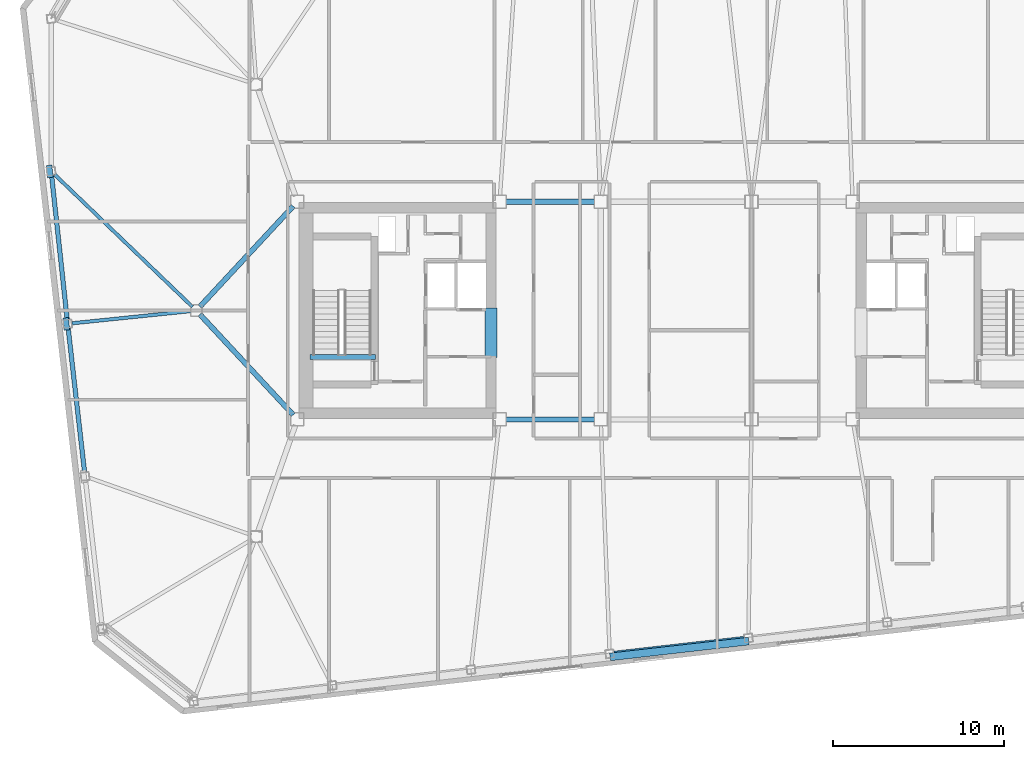
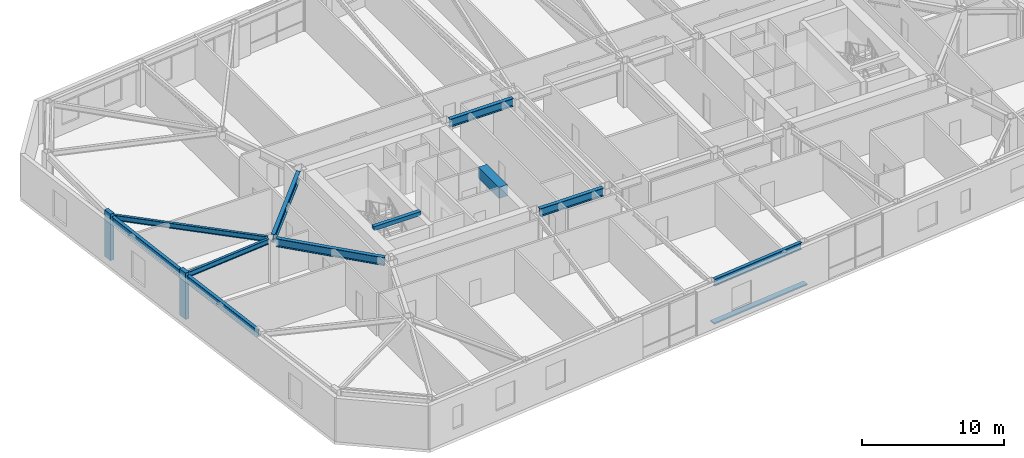
# One storey, part 7 of 21: 11 beams, 3 members.
"""IFC4 building model written with IfcOpenShell, lengths in metres."""

from ifc_helpers import new_model, si_unit, direction, frame, origin, origin_2d, place, context, subcontext, project, spatial, rectangle, i_section, extrude, material, material_profile, profile_set, type_object, element, save


model = new_model("IFC4")

# Units and contexts
model_context = context("Model", 3, precision=1e-05, world=origin(), true_north=direction((0.0, 1.0)))
body_context = subcontext(model_context, "Body", "Model", "MODEL_VIEW")
ifc_project = project(units=[si_unit("LENGTHUNIT", "METRE"), si_unit("AREAUNIT", "SQUARE_METRE"), si_unit("VOLUMEUNIT", "CUBIC_METRE"), si_unit("PLANEANGLEUNIT", "RADIAN"), si_unit("MASSUNIT", "GRAM", prefix="KILO")], contexts=[model_context])

# Site, building, storey
site_placement = place(None, origin())
site = spatial("IfcSite", under=ifc_project, at=site_placement, CompositionType="ELEMENT")
building_placement = place(site_placement, origin())
building = spatial("IfcBuilding", under=site, at=building_placement, Name="Tavrogorsk Clinical Tower", CompositionType="ELEMENT")
storey_placement = place(building_placement, frame((0.0, 0.0, 247.0)))
storey = spatial("IfcBuildingStorey", under=building, at=storey_placement, Name="L57", CompositionType="ELEMENT", Elevation=247.0)

# Member
ifc_material_1 = material(Name="Anodised aluminium alloy AW-6063", Category="aluminium")
ifc_material_profile_1 = material_profile(ifc_material_1, rectangle(XDim=0.449951171875, YDim=0.1201171875, at=origin_2d()), Name="ALU-SUNSHADE-450x120")
ifc_profile_set_1 = profile_set([ifc_material_profile_1], Name="Anodised aluminium alloy AW-6063")
member_type_1 = type_object("IfcMemberType", Name="ChicagoSunshade_450x120", PredefinedType="USERDEFINED", material=ifc_profile_set_1)
member_placement = place(storey_placement, frame((-3.855712890625, -20.214111328125, 0.179931640625), z_axis=(0.99356960656, 0.11322295227, 0.0), x_axis=(-0.11322295227, 0.99356960656, 0.0)))
element("IfcMember", 1, at=member_placement, inside=storey, type_object=member_type_1, Name="L57 South Aluminium Sunshade S4", ObjectType="SUNSHADE", PredefinedType="USERDEFINED", context=body_context, shape_type="SweptSolid", body=[
    extrude(rectangle(XDim=0.449951171875, YDim=0.1201171875, at=origin_2d()), origin(), (0.0, 0.0, 1.0), 8.148681640625),
])

# Beams
ifc_material_2 = material(Name="Concrete B80", Category="concrete")
ifc_material_profile_2 = material_profile(ifc_material_2, rectangle(XDim=0.699951171875, YDim=0.949951171875, at=origin_2d()), Name="RC-CB-700x950")
ifc_profile_set_2 = profile_set([ifc_material_profile_2], Name="Concrete B80")
beam_type_1 = type_object("IfcBeamType", Name="CouplingBeam_RC700x950", PredefinedType="LINTEL", material=ifc_profile_set_2)
beam_1_placement = place(storey_placement, frame((-10.800048828125, -2.75, 3.264892578125), z_axis=(0.0, 1.0, 0.0), x_axis=(-1.0, 0.0, 0.0)))
element("IfcBeam", 2, at=beam_1_placement, inside=storey, type_object=beam_type_1, Name="L57 Core West Coupling Beam", PredefinedType="LINTEL", context=body_context, shape_type="SweptSolid", body=[
    extrude(rectangle(XDim=0.699951171875, YDim=0.949951171875, at=origin_2d()), origin(), (0.0, 0.0, 1.0), 2.89990234375),
])
ifc_material_3 = material(Name="Structural steel S355", Category="steel")
ifc_material_profile_3 = material_profile(ifc_material_3, i_section(OverallWidth=0.199951171875, OverallDepth=0.449951171875, WebThickness=0.011474609375, FlangeThickness=0.01806640625, at=origin_2d()), Name="B-450x200x11.5x18")
ifc_profile_set_3 = profile_set([ifc_material_profile_3], Name="Structural steel S355")
beam_type_2 = type_object("IfcBeamType", Name="FloorBeam_B450", PredefinedType="BEAM", material=ifc_profile_set_3)
beam_2_placement = place(storey_placement, frame((-28.2236328125, 0.214599609375, 3.514892578125), z_axis=(-0.721413519982, 0.692504536582, 0.0), x_axis=(-0.692504536582, -0.721413519982, 0.0)))
element("IfcBeam", 3, at=beam_2_placement, inside=storey, type_object=beam_type_2, Name="L57 Radial Floor Beam W2", PredefinedType="BEAM", context=body_context, shape_type="SweptSolid", body=[
    extrude(i_section(OverallWidth=0.199951171875, OverallDepth=0.449951171875, WebThickness=0.011474609375, FlangeThickness=0.01806640625, at=origin_2d()), origin(), (0.0, 0.0, 1.0), 11.1728515625),
])
beam_3_placement = place(storey_placement, frame((-28.308349609375, -0.03173828125, 3.514892578125), z_axis=(-0.994752624307, -0.102309415177, 0.0), x_axis=(0.102309415177, -0.994752624307, 0.0)))
element("IfcBeam", 4, at=beam_3_placement, inside=storey, type_object=beam_type_2, Name="L57 Radial Floor Beam W3", PredefinedType="BEAM", context=body_context, shape_type="SweptSolid", body=[
    extrude(i_section(OverallWidth=0.199951171875, OverallDepth=0.449951171875, WebThickness=0.011474609375, FlangeThickness=0.01806640625, at=origin_2d()), origin(), (0.0, 0.0, 1.0), 6.9775390625),
])

# Members
ifc_material_4 = material(Name="Precast concrete B45 with limestone cladding", Category="masonry")
ifc_material_profile_4 = material_profile(ifc_material_4, rectangle(XDim=0.320068359375, YDim=0.719970703125, at=origin_2d()), Name="LIMESTONE-FIN-320x720")
ifc_profile_set_4 = profile_set([ifc_material_profile_4], Name="Precast concrete B45 with limestone cladding")
member_type_2 = type_object("IfcMemberType", Name="LimestonePleatFin_320x720", PredefinedType="USERDEFINED", material=ifc_profile_set_4)
for number, where, z_axis, x_axis, name in (
    (5, (-36.549560546875, 8.121337890625, 0.0), (0.0, 0.0, 1.0), (0.993571855677, 0.113203213768, 0.0), "L57 W Pleated Stone Fin 1"),
    (6, (-35.585205078125, -0.781005859375, 0.0), (0.0, 0.0, 1.0), (0.993571855677, 0.113203213768, 0.0), "L57 W Pleated Stone Fin 2"),
):
    element("IfcMember", number, at=place(storey_placement, frame(where, z_axis=z_axis, x_axis=x_axis)), inside=storey, type_object=member_type_2, Name=name, ObjectType="FIN", PredefinedType="USERDEFINED", context=body_context, shape_type="SweptSolid", body=[
        extrude(rectangle(XDim=0.320068359375, YDim=0.719970703125, at=origin_2d()), origin(), (0.0, 0.0, 1.0), 4.0),
    ])

# Beams
ifc_material_5 = material(Name="Structural steel S390", Category="steel")
ifc_material_profile_5 = material_profile(ifc_material_5, i_section(OverallWidth=0.300048828125, OverallDepth=0.699951171875, WebThickness=0.01708984375, FlangeThickness=0.028076171875, at=origin_2d()), Name="B-700x300x17x28")
ifc_profile_set_5 = profile_set([ifc_material_profile_5], Name="Structural steel S390")
beam_type_3 = type_object("IfcBeamType", Name="PrimaryGirder_B700", PredefinedType="USERDEFINED", material=ifc_profile_set_5)
for number, where, z_axis, x_axis, name in (
    (7, (-9.93994140625, -6.35009765625, 3.389892578125), (1.0, 0.0, 0.0), (0.0, 1.0, 0.0), "L57 Primary Spine Girder MG-01"),
    (8, (-9.93994140625, 6.35009765625, 3.389892578125), (1.0, 0.0, 0.0), (0.0, 1.0, 0.0), "L57 Primary Spine Girder MG-02"),
):
    element("IfcBeam", number, at=place(storey_placement, frame(where, z_axis=z_axis, x_axis=x_axis)), inside=storey, type_object=beam_type_3, Name=name, ObjectType="GIRDER", PredefinedType="USERDEFINED", context=body_context, shape_type="SweptSolid", body=[
        extrude(i_section(OverallWidth=0.300048828125, OverallDepth=0.699951171875, WebThickness=0.01708984375, FlangeThickness=0.028076171875, at=origin_2d()), origin(), (0.0, 0.0, 1.0), 5.179931640625),
    ])
for number, where, z_axis, x_axis, name in (
    (9, (-27.7890625, -0.22705078125, 3.389892578125), (0.680684060959, -0.732577101168, 0.0), (0.732577101168, 0.680684060959, 0.0), "L57 Spine Link Girder OPG-5"),
    (10, (-27.7890625, 0.22705078125, 3.389892578125), (0.680684060959, 0.732577101168, 0.0), (-0.732577101168, 0.680684060959, 0.0), "L57 Spine Link Girder OPG-6"),
):
    element("IfcBeam", number, at=place(storey_placement, frame(where, z_axis=z_axis, x_axis=x_axis)), inside=storey, type_object=beam_type_3, Name=name, ObjectType="GIRDER", PredefinedType="USERDEFINED", context=body_context, shape_type="SweptSolid", body=[
        extrude(i_section(OverallWidth=0.300048828125, OverallDepth=0.699951171875, WebThickness=0.01708984375, FlangeThickness=0.028076171875, at=origin_2d()), origin(), (0.0, 0.0, 1.0), 7.998046875),
    ])
ifc_material_6 = material(Name="Structural steel S390", Category="steel")
ifc_material_profile_6 = material_profile(ifc_material_6, i_section(OverallWidth=0.260009765625, OverallDepth=0.60009765625, WebThickness=0.014892578125, FlangeThickness=0.02392578125, at=origin_2d()), Name="B-600x260x15x24")
ifc_profile_set_6 = profile_set([ifc_material_profile_6], Name="Structural steel S390")
beam_type_4 = type_object("IfcBeamType", Name="SpandrelBeam_B600", PredefinedType="SPANDREL", material=ifc_profile_set_6)
beam_4_placement = place(storey_placement, frame((-3.619873046875, -20.006103515625, 3.43994140625), z_axis=(0.993568911788, 0.113229048956, 0.0), x_axis=(-0.113229048956, 0.993568911788, 0.0)))
element("IfcBeam", 11, at=beam_4_placement, inside=storey, type_object=beam_type_4, Name="L57 Perimeter Spandrel S4-S5", PredefinedType="SPANDREL", context=body_context, shape_type="SweptSolid", body=[
    extrude(i_section(OverallWidth=0.260009765625, OverallDepth=0.60009765625, WebThickness=0.014892578125, FlangeThickness=0.02392578125, at=origin_2d()), origin(), (0.0, 0.0, 1.0), 7.6328125),
])
beam_5_placement = place(storey_placement, frame((-36.442138671875, 7.8740234375, 3.43994140625), z_axis=(0.107655746314, -0.994188231818, 0.0), x_axis=(0.994188231818, 0.107655746314, 0.0)))
element("IfcBeam", 12, at=beam_5_placement, inside=storey, type_object=beam_type_4, Name="L57 Perimeter Spandrel W2-W3", PredefinedType="SPANDREL", context=body_context, shape_type="SweptSolid", body=[
    extrude(i_section(OverallWidth=0.260009765625, OverallDepth=0.60009765625, WebThickness=0.014892578125, FlangeThickness=0.02392578125, at=origin_2d()), origin(), (0.0, 0.0, 1.0), 8.4384765625),
])
beam_6_placement = place(storey_placement, frame((-35.4765625, -1.0283203125, 3.43994140625), z_axis=(0.113195129234, -0.99357277676, 0.0), x_axis=(0.99357277676, 0.113195129234, 0.0)))
element("IfcBeam", 13, at=beam_6_placement, inside=storey, type_object=beam_type_4, Name="L57 Perimeter Spandrel W3-W4", PredefinedType="SPANDREL", context=body_context, shape_type="SweptSolid", body=[
    extrude(i_section(OverallWidth=0.260009765625, OverallDepth=0.60009765625, WebThickness=0.014892578125, FlangeThickness=0.02392578125, at=origin_2d()), origin(), (0.0, 0.0, 1.0), 8.44384765625),
])
ifc_material_7 = material(Name="Concrete B60", Category="concrete")
ifc_material_profile_7 = material_profile(ifc_material_7, rectangle(XDim=0.300048828125, YDim=0.35009765625, at=origin_2d()), Name="RC-SHB-300x350")
ifc_profile_set_7 = profile_set([ifc_material_profile_7], Name="Concrete B60")
beam_type_5 = type_object("IfcBeamType", Name="StairHeaderBeam_RC300x350", PredefinedType="BEAM", material=ifc_profile_set_7)
beam_7_placement = place(storey_placement, frame((-21.35009765625, -2.719970703125, 3.824951171875), z_axis=(1.0, 0.0, 0.0), x_axis=(0.0, 1.0, 0.0)))
element("IfcBeam", 14, at=beam_7_placement, inside=storey, type_object=beam_type_5, Name="L58 ST-W Landing Header Beam", PredefinedType="BEAM", context=body_context, shape_type="SweptSolid", body=[
    extrude(rectangle(XDim=0.300048828125, YDim=0.35009765625, at=origin_2d()), origin(), (0.0, 0.0, 1.0), 3.800048828125),
])

save(model, "model.ifc")
